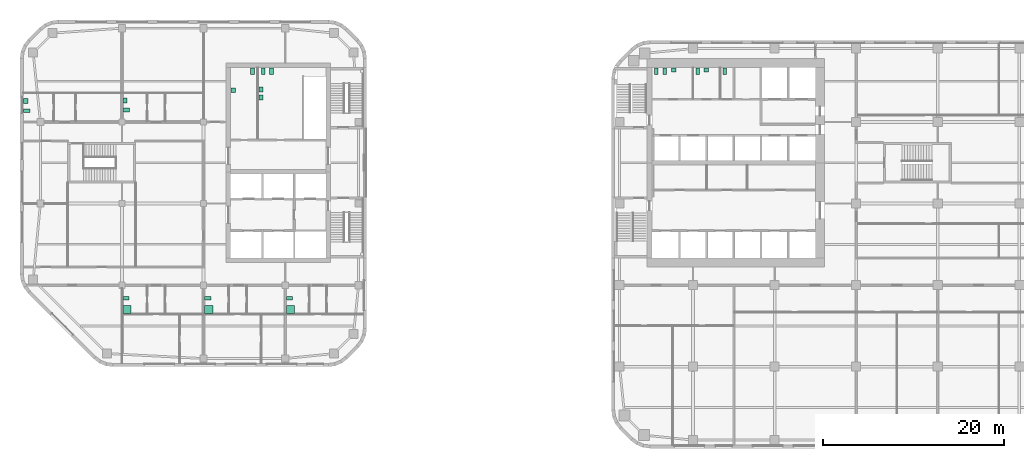
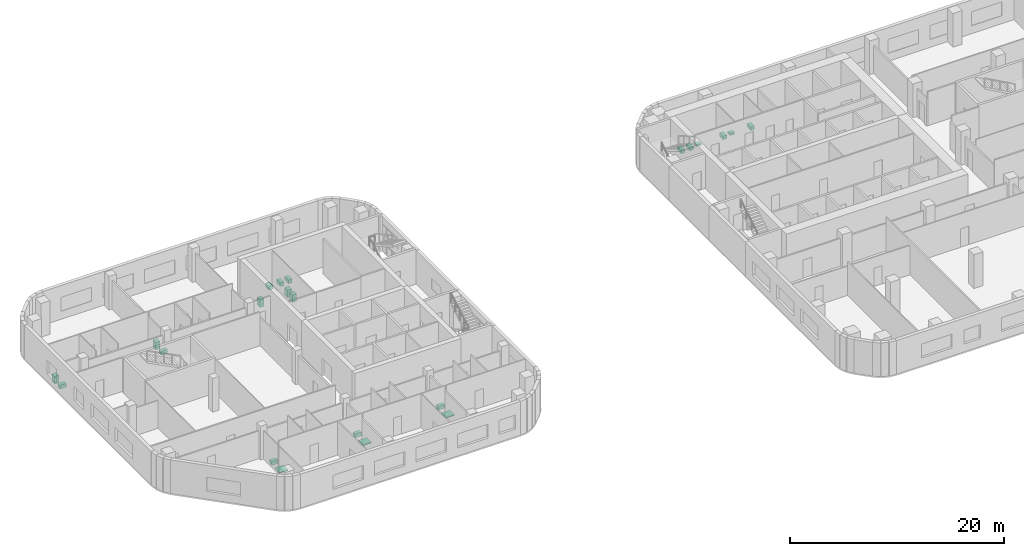
# One storey, part 16 of 16: 22 sanitary terminals.
"""IFC4 building model written with IfcOpenShell, lengths in metres."""

from ifc_helpers import new_model, si_unit, direction, frame, origin, origin_2d, place, context, subcontext, project, spatial, rectangle, extrude, material, type_object, element, save


model = new_model("IFC4")

# Units and contexts
model_context = context("Model", 3, precision=1e-05, world=origin(), true_north=direction((0.0, 1.0)))
body_context = subcontext(model_context, "Body", "Model", "MODEL_VIEW")
ifc_project = project(units=[si_unit("LENGTHUNIT", "METRE"), si_unit("AREAUNIT", "SQUARE_METRE"), si_unit("VOLUMEUNIT", "CUBIC_METRE"), si_unit("PLANEANGLEUNIT", "RADIAN"), si_unit("MASSUNIT", "GRAM", prefix="KILO")], contexts=[model_context])

# Site, building, storey
site_placement = place(None, origin())
site = spatial("IfcSite", under=ifc_project, at=site_placement, CompositionType="ELEMENT")
building_placement = place(site_placement, origin())
building = spatial("IfcBuilding", under=site, at=building_placement, Name="Cinnabar Reach Civic Tower", CompositionType="ELEMENT")
storey_placement = place(building_placement, frame((0.0, 0.0, 55.0)))
storey = spatial("IfcBuildingStorey", under=building, at=storey_placement, Name="L12", CompositionType="ELEMENT", Elevation=55.0)

# Sanitary terminals
ifc_material_1 = material(Name="Vitreous china")
sanitary_terminal_type_1 = type_object("IfcSanitaryTerminalType", Name="T1 WC pan", PredefinedType="TOILETPAN", material=ifc_material_1)
for number, where, z_axis, x_axis, name in (
    (1, (4.95, 41.6, 0.0), (0.0, 0.0, 1.0), (1.0, 0.0, 0.0), "T1 WC pan 1207-1"),
    (2, (5.9, 41.6, 0.0), (0.0, 0.0, 1.0), (1.0, 0.0, 0.0), "T1 WC pan 1207-2"),
    (3, (9.5, 41.6, 0.0), (0.0, 0.0, 1.0), (1.0, 0.0, 0.0), "T1 WC pan 1208-1"),
    (4, (12.5, 41.6, 0.0), (0.0, 0.0, 1.0), (1.0, 0.0, 0.0), "T1 WC pan 1209-1"),
):
    element("IfcSanitaryTerminal", number, at=place(storey_placement, frame(where, z_axis=z_axis, x_axis=x_axis)), inside=storey, type_object=sanitary_terminal_type_1, Name=name, PredefinedType="TOILETPAN", context=body_context, shape_type="SweptSolid", body=[
        extrude(rectangle(XDim=0.4, YDim=0.7, at=origin_2d()), origin(), (0.0, 0.0, 1.0), 0.4),
    ])
sanitary_terminal_type_2 = type_object("IfcSanitaryTerminalType", Name="T1 wash basin", PredefinedType="WASHHANDBASIN", material=ifc_material_1)
for number, where, z_axis, x_axis, name in (
    (5, (6.85, 41.74, 0.0), (0.0, 0.0, 1.0), (1.0, 0.0, 0.0), "T1 wash basin 1207-3"),
    (6, (10.45, 41.74, 0.0), (0.0, 0.0, 1.0), (1.0, 0.0, 0.0), "T1 wash basin 1208-2"),
):
    element("IfcSanitaryTerminal", number, at=place(storey_placement, frame(where, z_axis=z_axis, x_axis=x_axis)), inside=storey, type_object=sanitary_terminal_type_2, Name=name, PredefinedType="WASHHANDBASIN", context=body_context, shape_type="SweptSolid", body=[
        extrude(rectangle(XDim=0.5, YDim=0.42, at=origin_2d()), origin(), (0.0, 0.0, 1.0), 0.2),
    ])
ifc_material_2 = material(Name="Acrylic tray")
sanitary_terminal_type_3 = type_object("IfcSanitaryTerminalType", Name="T2 Shower tray", PredefinedType="SHOWER", material=ifc_material_2)
for number, where, z_axis, x_axis, name in (
    (7, (-53.45, 15.3, 0.0), (0.0, 0.0, 1.0), (1.0, 0.0, 0.0), "Shower tray"),
    (8, (-44.425, 15.3, 0.0), (0.0, 0.0, 1.0), (1.0, 0.0, 0.0), "Shower tray"),
    (9, (-35.425, 15.3, 0.0), (0.0, 0.0, 1.0), (1.0, 0.0, 0.0), "Shower tray"),
):
    element("IfcSanitaryTerminal", number, at=place(storey_placement, frame(where, z_axis=z_axis, x_axis=x_axis)), inside=storey, type_object=sanitary_terminal_type_3, Name=name, PredefinedType="SHOWER", context=body_context, shape_type="SweptSolid", body=[
        extrude(rectangle(XDim=0.9, YDim=0.9, at=origin_2d()), origin(), (0.0, 0.0, 1.0), 0.1),
    ])
sanitary_terminal_type_4 = type_object("IfcSanitaryTerminalType", Name="T2 WC pan", PredefinedType="TOILETPAN", material=ifc_material_1)
for number, where, z_axis, x_axis, name in (
    (10, (-39.6, 41.6, 0.0), (0.0, 0.0, 1.0), (1.0, 0.0, 0.0), "WC pan"),
    (11, (-38.4, 41.6, 0.0), (0.0, 0.0, 1.0), (1.0, 0.0, 0.0), "WC pan"),
    (12, (-37.5, 41.6, 0.0), (0.0, 0.0, 1.0), (1.0, 0.0, 0.0), "WC pan"),
):
    element("IfcSanitaryTerminal", number, at=place(storey_placement, frame(where, z_axis=z_axis, x_axis=x_axis)), inside=storey, type_object=sanitary_terminal_type_4, Name=name, PredefinedType="TOILETPAN", context=body_context, shape_type="SweptSolid", body=[
        extrude(rectangle(XDim=0.4, YDim=0.7, at=origin_2d()), origin(), (0.0, 0.0, 1.0), 0.42),
    ])
for number, where, z_axis, x_axis, name in (
    (13, (-53.55, 16.55, 0.0), (0.0, 0.0, 1.0), (1.0, 0.0, 0.0), "WC pan"),
    (14, (-44.525, 16.55, 0.0), (0.0, 0.0, 1.0), (1.0, 0.0, 0.0), "WC pan"),
    (15, (-35.525, 16.55, 0.0), (0.0, 0.0, 1.0), (1.0, 0.0, 0.0), "WC pan"),
    (16, (-64.49, 37.25, 0.0), (0.0, 0.0, 1.0), (1.0, 0.0, 0.0), "WC pan"),
    (17, (-53.525, 37.325, 0.0), (0.0, 0.0, 1.0), (1.0, 0.0, 0.0), "WC pan"),
):
    element("IfcSanitaryTerminal", number, at=place(storey_placement, frame(where, z_axis=z_axis, x_axis=x_axis)), inside=storey, type_object=sanitary_terminal_type_4, Name=name, PredefinedType="TOILETPAN", context=body_context, shape_type="SweptSolid", body=[
        extrude(rectangle(XDim=0.7, YDim=0.4, at=origin_2d()), origin(), (0.0, 0.0, 1.0), 0.42),
    ])
sanitary_terminal_type_5 = type_object("IfcSanitaryTerminalType", Name="T2 Wash basin", PredefinedType="WASHHANDBASIN", material=ifc_material_1)
for number, where, z_axis, x_axis, name in (
    (18, (-41.725, 39.5, 0.0), (0.0, 0.0, 1.0), (1.0, 0.0, 0.0), "Wash basin"),
    (19, (-38.675, 39.6, 0.0), (0.0, 0.0, 1.0), (1.0, 0.0, 0.0), "Wash basin"),
    (20, (-38.675, 38.7, 0.0), (0.0, 0.0, 1.0), (1.0, 0.0, 0.0), "Wash basin"),
    (21, (-64.615, 38.3, 0.0), (0.0, 0.0, 1.0), (1.0, 0.0, 0.0), "Wash basin"),
    (22, (-53.65, 38.375, 0.0), (0.0, 0.0, 1.0), (1.0, 0.0, 0.0), "Wash basin"),
):
    element("IfcSanitaryTerminal", number, at=place(storey_placement, frame(where, z_axis=z_axis, x_axis=x_axis)), inside=storey, type_object=sanitary_terminal_type_5, Name=name, PredefinedType="WASHHANDBASIN", context=body_context, shape_type="SweptSolid", body=[
        extrude(rectangle(XDim=0.45, YDim=0.55, at=origin_2d()), origin(), (0.0, 0.0, 1.0), 0.85),
    ])

save(model, "model.ifc")
